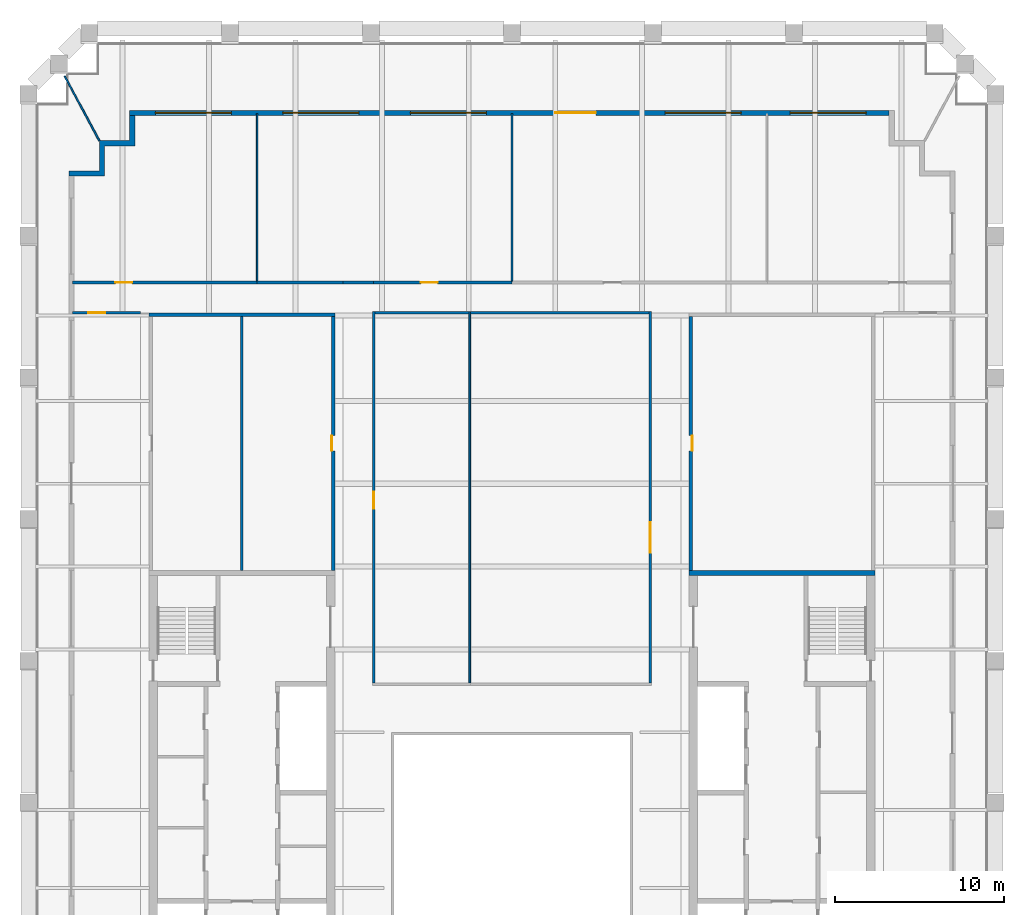
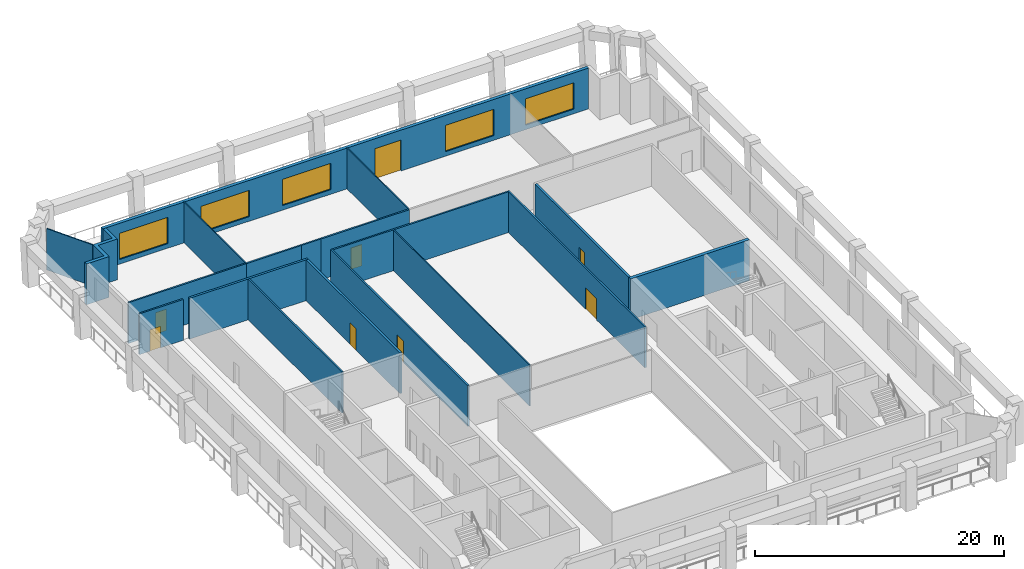
# One storey, part 5 of 8: 20 walls, 8 doors, 5 windows, 13 openings.
"""IFC4 building model written with IfcOpenShell, lengths in metres."""

from ifc_helpers import new_model, si_unit, direction, frame, frame_2d, origin, place, context, subcontext, project, spatial, polyline, rectangle, outline, extrude, material, layer, layer_set, type_object, element, fill, save


model = new_model("IFC4")

# Units and contexts
model_context = context("Model", 3, precision=1e-05, world=origin(), true_north=direction((0.0, 1.0)))
body_context = subcontext(model_context, "Body", "Model", "MODEL_VIEW")
ifc_project = project(units=[si_unit("LENGTHUNIT", "METRE"), si_unit("AREAUNIT", "SQUARE_METRE"), si_unit("VOLUMEUNIT", "CUBIC_METRE"), si_unit("PLANEANGLEUNIT", "RADIAN"), si_unit("MASSUNIT", "GRAM", prefix="KILO")], contexts=[model_context])

# Site, building, storey
site_placement = place(None, origin())
site = spatial("IfcSite", under=ifc_project, at=site_placement, CompositionType="ELEMENT")
building_placement = place(site_placement, origin())
building = spatial("IfcBuilding", under=site, at=building_placement, Name="Ogive Exchange Tower", CompositionType="ELEMENT")
storey_placement = place(building_placement, frame((0.0, 0.0, 325.800048828125)))
storey = spatial("IfcBuildingStorey", under=building, at=storey_placement, Name="L71", CompositionType="ELEMENT", Elevation=325.800048828125)

# Wall
ifc_material_1 = material(Name="Gypsum board partition")
ifc_layer_1 = layer(ifc_material_1, 0.14990234375)
ifc_layer_set_1 = layer_set([ifc_layer_1], Name="Core room partition 150 gypsum")
wall_type_1 = type_object("IfcWallType", Name="Core room partition 150 gypsum", PredefinedType="PARTITIONING", material=ifc_layer_set_1)
wall_1_placement = place(storey_placement, frame((-16.0, 25.75, 0.0), z_axis=(0.0, 0.0, 1.0), x_axis=(0.0, 1.0, 0.0)))
element("IfcWall", 1, at=wall_1_placement, inside=storey, type_object=wall_type_1, Name="W annex N column wall", PredefinedType="PARTITIONING", context=body_context, shape_type="SweptSolid", body=[
    extrude(rectangle(XDim=15.050048828125, YDim=0.14990234375, at=frame_2d((7.52490234375, 0.0))), origin(), (0.0, 0.0, 1.0), 4.0),
])

# Wall, opening, door
ifc_material_2 = material(Name="Fire partition EI 60 150")
ifc_layer_2 = layer(ifc_material_2, 0.14990234375)
ifc_layer_set_2 = layer_set([ifc_layer_2], Name="Fire partition EI 60 150")
wall_type_2 = type_object("IfcWallType", Name="Fire partition EI 60 150", PredefinedType="PARTITIONING", material=ifc_layer_set_2)
wall_2_placement = place(storey_placement, frame((-26.050048828125, 42.800048828125, 0.0), z_axis=(0.0, 0.0, 1.0), x_axis=(1.0, 0.0, 0.0)))
wall_2 = element("IfcWall", 2, at=wall_2_placement, inside=storey, type_object=wall_type_2, Name="L71-PWL-001", PredefinedType="PARTITIONING", context=body_context, shape_type="SweptSolid", body=[
    extrude(rectangle(XDim=11.0, YDim=0.14990234375, at=frame_2d((5.5, 0.0))), origin(), (0.0, 0.0, 1.0), 4.0),
])
opening_1_placement = place(wall_2_placement, frame((2.550048828125, 0.0, 0.0)))
opening_1 = element("IfcOpeningElement", 3, at=opening_1_placement, cuts=wall_2, Name="Opening L71-I04", PredefinedType="OPENING", context=body_context, shape_type="SweptSolid", body=[
    extrude(rectangle(XDim=1.0, YDim=2.10009765625, at=frame_2d((0.5, 1.050048828125))), frame((0.0, 0.0849609375, 0.0), z_axis=(0.0, -1.0, 0.0), x_axis=(1.0, 0.0, 0.0)), (0.0, 0.0, 1.0), 0.169921875),
])
ifc_material_3 = material(Name="Fire door FD 30S 1000 x 2100")
door_type_1 = type_object("IfcDoorType", Name="Fire door FD 30S 1000 x 2100", OperationType="NOTDEFINED", PredefinedType="DOOR", material=ifc_material_3)
door_1_placement = place(opening_1_placement, origin())
door_1 = element("IfcDoor", 4, at=door_1_placement, inside=storey, type_object=door_type_1, Name="L71-IDR-004", ObjectType="DT3", OperationType="SINGLE_SWING_RIGHT", OverallHeight=2.10009765625, OverallWidth=1.0, PredefinedType="DOOR", context=body_context, shape_type="SweptSolid", body=[
    extrude(rectangle(XDim=1.0, YDim=2.10009765625, at=frame_2d((0.5, 1.050048828125))), frame((0.0, 0.02490234375, 0.0), z_axis=(0.0, -1.0, 0.0), x_axis=(1.0, 0.0, 0.0)), (0.0, 0.0, 1.0), 0.050048828125),
])
fill(opening_1, door_1)

wall_3_placement = place(storey_placement, frame((-22.0, 41.0, 0.0), z_axis=(0.0, 0.0, 1.0), x_axis=(-1.0, 0.0, 0.0)))
wall_3 = element("IfcWall", 5, at=wall_3_placement, inside=storey, type_object=wall_type_2, Name="L71-PWL-003", PredefinedType="PARTITIONING", context=body_context, shape_type="SweptSolid", body=[
    extrude(rectangle(XDim=4.050048828125, YDim=0.14990234375, at=frame_2d((2.02490234375, 0.0))), origin(), (0.0, 0.0, 1.0), 4.0),
])
opening_2_placement = place(wall_3_placement, frame((2.10009765625, 0.0, 0.0)))
opening_2 = element("IfcOpeningElement", 6, at=opening_2_placement, cuts=wall_3, Name="Opening L71-I07", PredefinedType="OPENING", context=body_context, shape_type="SweptSolid", body=[
    extrude(rectangle(XDim=1.0, YDim=2.10009765625, at=frame_2d((0.5, 1.050048828125))), frame((0.0, 0.0849609375, 0.0), z_axis=(0.0, -1.0, 0.0), x_axis=(1.0, 0.0, 0.0)), (0.0, 0.0, 1.0), 0.169921875),
])
door_2_placement = place(opening_2_placement, origin())
door_2 = element("IfcDoor", 7, at=door_2_placement, inside=storey, type_object=door_type_1, Name="L71-IDR-007", ObjectType="DT3", OperationType="SINGLE_SWING_LEFT", OverallHeight=2.10009765625, OverallWidth=1.0, PredefinedType="DOOR", context=body_context, shape_type="SweptSolid", body=[
    extrude(rectangle(XDim=1.0, YDim=2.10009765625, at=frame_2d((0.5, 1.050048828125))), frame((0.0, 0.02490234375, 0.0), z_axis=(0.0, -1.0, 0.0), x_axis=(1.0, 0.0, 0.0)), (0.0, 0.0, 1.0), 0.050048828125),
])
fill(opening_2, door_2)

# Walls
wall_4_placement = place(storey_placement, frame((-15.10009765625, 42.800048828125, 0.0), z_axis=(0.0, 0.0, 1.0), x_axis=(1.0, 0.0, 0.0)))
element("IfcWall", 8, at=wall_4_placement, inside=storey, type_object=wall_type_2, Name="L71-PWL-005", PredefinedType="PARTITIONING", context=body_context, shape_type="SweptSolid", body=[
    extrude(rectangle(XDim=5.10009765625, YDim=0.14990234375, at=frame_2d((2.550048828125, 0.0))), origin(), (0.0, 0.0, 1.0), 4.0),
])
wall_5_placement = place(storey_placement, frame((-10.0, 42.800048828125, 0.0), z_axis=(0.0, 0.0, 1.0), x_axis=(1.0, 0.0, 0.0)))
element("IfcWall", 9, at=wall_5_placement, inside=storey, type_object=wall_type_2, Name="L71-PWL-006", PredefinedType="PARTITIONING", context=body_context, shape_type="SweptSolid", body=[
    extrude(rectangle(XDim=1.800048828125, YDim=0.14990234375, at=frame_2d((0.89990234375, 0.0))), origin(), (0.0, 0.0, 1.0), 4.0),
])

# Wall, opening, door
wall_6_placement = place(storey_placement, frame((-8.199951171875, 41.074951171875, 0.0), z_axis=(0.0, 0.0, 1.0), x_axis=(0.0, -1.0, 0.0)))
wall_6 = element("IfcWall", 10, at=wall_6_placement, inside=storey, type_object=wall_type_2, Name="L71-PWL-008", PredefinedType="PARTITIONING", context=body_context, shape_type="SweptSolid", body=[
    extrude(rectangle(XDim=22.0, YDim=0.14990234375, at=frame_2d((11.0, 0.0))), origin(), (0.0, 0.0, 1.0), 4.0),
])
opening_3_placement = place(wall_6_placement, frame((10.675048828125, 0.0, 0.0)))
opening_3 = element("IfcOpeningElement", 11, at=opening_3_placement, cuts=wall_6, Name="Opening L71-I06", PredefinedType="OPENING", context=body_context, shape_type="SweptSolid", body=[
    extrude(rectangle(XDim=1.0, YDim=2.10009765625, at=frame_2d((0.5, 1.050048828125))), frame((0.0, 0.0849609375, 0.0), z_axis=(0.0, -1.0, 0.0), x_axis=(1.0, 0.0, 0.0)), (0.0, 0.0, 1.0), 0.169921875),
])
door_3_placement = place(opening_3_placement, origin())
door_3 = element("IfcDoor", 12, at=door_3_placement, inside=storey, type_object=door_type_1, Name="L71-IDR-006", ObjectType="DT3", OperationType="SINGLE_SWING_RIGHT", OverallHeight=2.10009765625, OverallWidth=1.0, PredefinedType="DOOR", context=body_context, shape_type="SweptSolid", body=[
    extrude(rectangle(XDim=1.0, YDim=2.10009765625, at=frame_2d((0.5, 1.050048828125))), frame((0.0, 0.02490234375, 0.0), z_axis=(0.0, -1.0, 0.0), x_axis=(1.0, 0.0, 0.0)), (0.0, 0.0, 1.0), 0.050048828125),
])
fill(opening_3, door_3)

wall_7_placement = place(storey_placement, frame((-8.199951171875, 42.800048828125, 0.0), z_axis=(0.0, 0.0, 1.0), x_axis=(1.0, 0.0, 0.0)))
wall_7 = element("IfcWall", 13, at=wall_7_placement, inside=storey, type_object=wall_type_2, Name="L71-PWL-009", PredefinedType="PARTITIONING", context=body_context, shape_type="SweptSolid", body=[
    extrude(rectangle(XDim=8.199951171875, YDim=0.14990234375, at=frame_2d((4.10009765625, 0.0))), origin(), (0.0, 0.0, 1.0), 4.0),
])
opening_4_placement = place(wall_7_placement, frame((2.800048828125, 0.0, 0.0)))
opening_4 = element("IfcOpeningElement", 14, at=opening_4_placement, cuts=wall_7, Name="Opening L71-I03", PredefinedType="OPENING", context=body_context, shape_type="SweptSolid", body=[
    extrude(rectangle(XDim=1.0, YDim=2.10009765625, at=frame_2d((0.5, 1.050048828125))), frame((0.0, 0.0849609375, 0.0), z_axis=(0.0, -1.0, 0.0), x_axis=(1.0, 0.0, 0.0)), (0.0, 0.0, 1.0), 0.169921875),
])
door_4_placement = place(opening_4_placement, origin())
door_4 = element("IfcDoor", 15, at=door_4_placement, inside=storey, type_object=door_type_1, Name="L71-IDR-003", ObjectType="DT3", OperationType="SINGLE_SWING_LEFT", OverallHeight=2.10009765625, OverallWidth=1.0, PredefinedType="DOOR", context=body_context, shape_type="SweptSolid", body=[
    extrude(rectangle(XDim=1.0, YDim=2.10009765625, at=frame_2d((0.5, 1.050048828125))), frame((0.0, 0.02490234375, 0.0), z_axis=(0.0, -1.0, 0.0), x_axis=(1.0, 0.0, 0.0)), (0.0, 0.0, 1.0), 0.050048828125),
])
fill(opening_4, door_4)

# Wall
wall_8_placement = place(storey_placement, frame((-2.550048828125, 41.0, 0.0), z_axis=(0.0, 0.0, 1.0), x_axis=(-1.0, 0.0, 0.0)))
element("IfcWall", 16, at=wall_8_placement, inside=storey, type_object=wall_type_2, Name="L71-PWL-012", PredefinedType="PARTITIONING", context=body_context, shape_type="SweptSolid", body=[
    extrude(rectangle(XDim=5.574951171875, YDim=0.14990234375, at=frame_2d((2.78759765625, 0.0))), origin(), (0.0, 0.0, 1.0), 4.0),
])

# Wall, opening, door
wall_9_placement = place(storey_placement, frame((8.199951171875, 19.074951171875, 0.0), z_axis=(0.0, 0.0, 1.0), x_axis=(0.0, 1.0, 0.0)))
wall_9 = element("IfcWall", 17, at=wall_9_placement, inside=storey, type_object=wall_type_2, Name="L71-PWL-015", PredefinedType="PARTITIONING", context=body_context, shape_type="SweptSolid", body=[
    extrude(rectangle(XDim=22.0, YDim=0.14990234375, at=frame_2d((11.0, 0.0))), origin(), (0.0, 0.0, 1.0), 4.0),
])
opening_5_placement = place(wall_9_placement, frame((7.72509765625, 0.0, 0.0)))
opening_5 = element("IfcOpeningElement", 18, at=opening_5_placement, cuts=wall_9, Name="Opening L71-I05", PredefinedType="OPENING", context=body_context, shape_type="SweptSolid", body=[
    extrude(rectangle(XDim=1.800048828125, YDim=2.10009765625, at=frame_2d((0.89990234375, 1.050048828125))), frame((0.0, 0.0849609375, 0.0), z_axis=(0.0, -1.0, 0.0), x_axis=(1.0, 0.0, 0.0)), (0.0, 0.0, 1.0), 0.169921875),
])
ifc_material_4 = material(Name="Fire door FD 30S 1800 x 2100")
door_type_2 = type_object("IfcDoorType", Name="Fire door FD 30S 1800 x 2100", OperationType="DOUBLE_DOOR_SINGLE_SWING", PredefinedType="DOOR", material=ifc_material_4)
door_5_placement = place(opening_5_placement, origin())
door_5 = element("IfcDoor", 19, at=door_5_placement, inside=storey, type_object=door_type_2, Name="L71-IDR-005", ObjectType="DT4", OperationType="SINGLE_SWING_RIGHT", OverallHeight=2.10009765625, OverallWidth=1.800048828125, PredefinedType="DOOR", context=body_context, shape_type="SweptSolid", body=[
    extrude(rectangle(XDim=1.800048828125, YDim=2.10009765625, at=frame_2d((0.89990234375, 1.050048828125))), frame((0.0, 0.02490234375, 0.0), z_axis=(0.0, -1.0, 0.0), x_axis=(1.0, 0.0, 0.0)), (0.0, 0.0, 1.0), 0.050048828125),
])
fill(opening_5, door_5)

# Wall
wall_10_placement = place(storey_placement, frame((8.125, 41.0, 0.0), z_axis=(0.0, 0.0, 1.0), x_axis=(-1.0, 0.0, 0.0)))
element("IfcWall", 20, at=wall_10_placement, inside=storey, type_object=wall_type_2, Name="L71-PWL-016", PredefinedType="PARTITIONING", context=body_context, shape_type="SweptSolid", body=[
    extrude(rectangle(XDim=10.574951171875, YDim=0.14990234375, at=frame_2d((5.28759765625, 0.0))), origin(), (0.0, 0.0, 1.0), 4.0),
])

# Wall, openings, door, windows
ifc_material_5 = material(Name="Precast concrete C40/50", Category="concrete")
ifc_layer_3 = layer(ifc_material_5, 0.300048828125)
ifc_layer_set_3 = layer_set([ifc_layer_3], Name="Limestone-faced wall 300")
wall_type_3 = type_object("IfcWallType", Name="Limestone-faced wall 300", PredefinedType="STANDARD", material=ifc_layer_set_3)
wall_11_placement = place(storey_placement, frame((22.35009765625, 52.85009765625, 0.0), z_axis=(0.0, 0.0, 1.0), x_axis=(-1.0, 0.0, 0.0)))
wall_11 = element("IfcWall", 21, at=wall_11_placement, inside=storey, type_object=wall_type_3, Name="External wall N3", PredefinedType="STANDARD", context=body_context, shape_type="SweptSolid", body=[
    extrude(rectangle(XDim=45.0, YDim=0.300048828125, at=frame_2d((22.5, 0.0))), origin(), (0.0, 0.0, 1.0), 4.0),
])
opening_6_placement = place(wall_11_placement, frame((1.375, 0.0, 0.449951171875)))
opening_6 = element("IfcOpeningElement", 22, at=opening_6_placement, cuts=wall_11, Name="Opening W1M", PredefinedType="OPENING", context=body_context, shape_type="SweptSolid", body=[
    extrude(rectangle(XDim=4.5, YDim=2.574951171875, at=frame_2d((2.25, 1.28759765625))), frame((0.0, 0.159912109375, 0.0), z_axis=(0.0, -1.0, 0.0), x_axis=(1.0, 0.0, 0.0)), (0.0, 0.0, 1.0), 0.320068359375),
])
opening_7_placement = place(wall_11_placement, frame((8.77490234375, 0.0, 0.449951171875)))
opening_7 = element("IfcOpeningElement", 23, at=opening_7_placement, cuts=wall_11, Name="Opening W1M", PredefinedType="OPENING", context=body_context, shape_type="SweptSolid", body=[
    extrude(rectangle(XDim=4.5, YDim=2.574951171875, at=frame_2d((2.25, 1.28759765625))), frame((0.0, 0.159912109375, 0.0), z_axis=(0.0, -1.0, 0.0), x_axis=(1.0, 0.0, 0.0)), (0.0, 0.0, 1.0), 0.320068359375),
])
opening_8_placement = place(wall_11_placement, frame((17.375, 0.0, 0.0)))
opening_8 = element("IfcOpeningElement", 24, at=opening_8_placement, cuts=wall_11, Name="Opening D1M", PredefinedType="OPENING", context=body_context, shape_type="SweptSolid", body=[
    extrude(rectangle(XDim=2.39990234375, YDim=3.02490234375, at=frame_2d((1.199951171875, 1.512451171875))), frame((0.0, 0.159912109375, 0.0), z_axis=(0.0, -1.0, 0.0), x_axis=(1.0, 0.0, 0.0)), (0.0, 0.0, 1.0), 0.320068359375),
])
opening_9_placement = place(wall_11_placement, frame((23.875, 0.0, 0.449951171875)))
opening_9 = element("IfcOpeningElement", 25, at=opening_9_placement, cuts=wall_11, Name="Opening W1M", PredefinedType="OPENING", context=body_context, shape_type="SweptSolid", body=[
    extrude(rectangle(XDim=4.5, YDim=2.574951171875, at=frame_2d((2.25, 1.28759765625))), frame((0.0, 0.159912109375, 0.0), z_axis=(0.0, -1.0, 0.0), x_axis=(1.0, 0.0, 0.0)), (0.0, 0.0, 1.0), 0.320068359375),
])
opening_10_placement = place(wall_11_placement, frame((31.425048828125, 0.0, 0.449951171875)))
opening_10 = element("IfcOpeningElement", 26, at=opening_10_placement, cuts=wall_11, Name="Opening W1M", PredefinedType="OPENING", context=body_context, shape_type="SweptSolid", body=[
    extrude(rectangle(XDim=4.5, YDim=2.574951171875, at=frame_2d((2.25, 1.28759765625))), frame((0.0, 0.159912109375, 0.0), z_axis=(0.0, -1.0, 0.0), x_axis=(1.0, 0.0, 0.0)), (0.0, 0.0, 1.0), 0.320068359375),
])
opening_11_placement = place(wall_11_placement, frame((38.97509765625, 0.0, 0.449951171875)))
opening_11 = element("IfcOpeningElement", 27, at=opening_11_placement, cuts=wall_11, Name="Opening W1M", PredefinedType="OPENING", context=body_context, shape_type="SweptSolid", body=[
    extrude(rectangle(XDim=4.5, YDim=2.574951171875, at=frame_2d((2.25, 1.28759765625))), frame((0.0, 0.159912109375, 0.0), z_axis=(0.0, -1.0, 0.0), x_axis=(1.0, 0.0, 0.0)), (0.0, 0.0, 1.0), 0.320068359375),
])
ifc_material_6 = material(Name="Clear glass in bronze frame", Category="glass")
door_type_3 = type_object("IfcDoorType", Name="Sliding loggia door 2400 x 3025", OperationType="DOUBLE_DOOR_SLIDING", PredefinedType="DOOR", material=ifc_material_6)
door_6_placement = place(opening_8_placement, origin())
door_6 = element("IfcDoor", 28, at=door_6_placement, inside=storey, type_object=door_type_3, Name="Loggia door N02", OperationType="DOUBLE_DOOR_SLIDING", OverallHeight=3.02490234375, OverallWidth=2.39990234375, PredefinedType="DOOR", context=body_context, shape_type="SweptSolid", body=[
    extrude(rectangle(XDim=2.39990234375, YDim=3.02490234375, at=frame_2d((1.199951171875, 1.512451171875))), frame((0.0, 0.02490234375, 0.0), z_axis=(0.0, -1.0, 0.0), x_axis=(1.0, 0.0, 0.0)), (0.0, 0.0, 1.0), 0.050048828125),
])
fill(opening_8, door_6)
window_type = type_object("IfcWindowType", Name="Twin lancet window 4500 x 2575", PartitioningType="DOUBLE_PANEL_VERTICAL", PredefinedType="WINDOW", material=ifc_material_6)
window_1_placement = place(opening_6_placement, origin())
window_1 = element("IfcWindow", 29, at=window_1_placement, inside=storey, type_object=window_type, Name="Window N00", OverallHeight=2.574951171875, OverallWidth=4.5, PartitioningType="DOUBLE_PANEL_VERTICAL", PredefinedType="WINDOW", context=body_context, shape_type="SweptSolid", body=[
    extrude(rectangle(XDim=4.5, YDim=2.574951171875, at=frame_2d((2.25, 1.28759765625))), frame((0.0, 0.030029296875, 0.0), z_axis=(0.0, -1.0, 0.0), x_axis=(1.0, 0.0, 0.0)), (0.0, 0.0, 1.0), 0.06005859375),
])
fill(opening_6, window_1)
window_2_placement = place(opening_7_placement, origin())
window_2 = element("IfcWindow", 30, at=window_2_placement, inside=storey, type_object=window_type, Name="Window N01", OverallHeight=2.574951171875, OverallWidth=4.5, PartitioningType="DOUBLE_PANEL_VERTICAL", PredefinedType="WINDOW", context=body_context, shape_type="SweptSolid", body=[
    extrude(rectangle(XDim=4.5, YDim=2.574951171875, at=frame_2d((2.25, 1.28759765625))), frame((0.0, 0.030029296875, 0.0), z_axis=(0.0, -1.0, 0.0), x_axis=(1.0, 0.0, 0.0)), (0.0, 0.0, 1.0), 0.06005859375),
])
fill(opening_7, window_2)
window_3_placement = place(opening_9_placement, origin())
window_3 = element("IfcWindow", 31, at=window_3_placement, inside=storey, type_object=window_type, Name="Window N03", OverallHeight=2.574951171875, OverallWidth=4.5, PartitioningType="DOUBLE_PANEL_VERTICAL", PredefinedType="WINDOW", context=body_context, shape_type="SweptSolid", body=[
    extrude(rectangle(XDim=4.5, YDim=2.574951171875, at=frame_2d((2.25, 1.28759765625))), frame((0.0, 0.030029296875, 0.0), z_axis=(0.0, -1.0, 0.0), x_axis=(1.0, 0.0, 0.0)), (0.0, 0.0, 1.0), 0.06005859375),
])
fill(opening_9, window_3)
window_4_placement = place(opening_10_placement, origin())
window_4 = element("IfcWindow", 32, at=window_4_placement, inside=storey, type_object=window_type, Name="Window N04", OverallHeight=2.574951171875, OverallWidth=4.5, PartitioningType="DOUBLE_PANEL_VERTICAL", PredefinedType="WINDOW", context=body_context, shape_type="SweptSolid", body=[
    extrude(rectangle(XDim=4.5, YDim=2.574951171875, at=frame_2d((2.25, 1.28759765625))), frame((0.0, 0.030029296875, 0.0), z_axis=(0.0, -1.0, 0.0), x_axis=(1.0, 0.0, 0.0)), (0.0, 0.0, 1.0), 0.06005859375),
])
fill(opening_10, window_4)
window_5_placement = place(opening_11_placement, origin())
window_5 = element("IfcWindow", 33, at=window_5_placement, inside=storey, type_object=window_type, Name="Window N05", OverallHeight=2.574951171875, OverallWidth=4.5, PartitioningType="DOUBLE_PANEL_VERTICAL", PredefinedType="WINDOW", context=body_context, shape_type="SweptSolid", body=[
    extrude(rectangle(XDim=4.5, YDim=2.574951171875, at=frame_2d((2.25, 1.28759765625))), frame((0.0, 0.030029296875, 0.0), z_axis=(0.0, -1.0, 0.0), x_axis=(1.0, 0.0, 0.0)), (0.0, 0.0, 1.0), 0.06005859375),
])
fill(opening_11, window_5)

# Walls
wall_12_placement = place(storey_placement, origin())
element("IfcWall", 34, at=wall_12_placement, inside=storey, type_object=wall_type_3, Name="External corner wall C3", PredefinedType="STANDARD", context=body_context, shape_type="SweptSolid", body=[
    extrude(outline(polyline([(-24.449951171875, 49.39990234375), (-24.449951171875, 51.199951171875), (-22.64990234375, 51.199951171875), (-22.64990234375, 52.699951171875), (-22.35009765625, 52.699951171875), (-22.35009765625, 50.89990234375), (-24.14990234375, 50.89990234375), (-24.14990234375, 49.10009765625), (-26.25, 49.10009765625), (-26.25, 49.39990234375), (-24.449951171875, 49.39990234375)])), origin(), (0.0, 0.0, 1.0), 4.0),
])
ifc_material_7 = material(Name="Laminated safety glass in steel frame", Category="steel")
ifc_layer_4 = layer(ifc_material_7, 0.10009765625)
ifc_layer_set_4 = layer_set([ifc_layer_4], Name="Loggia end screen 100")
wall_type_4 = type_object("IfcWallType", Name="Loggia end screen 100", PredefinedType="STANDARD", material=ifc_layer_set_4)
wall_13_placement = place(storey_placement, frame((-24.449951171875, 51.199951171875, -0.050048828125), z_axis=(0.0, 0.0, 1.0), x_axis=(-0.472807073277, 0.881165972709, 0.0)))
element("IfcWall", 35, at=wall_13_placement, inside=storey, type_object=wall_type_4, Name="Loggia end screen C3", PredefinedType="STANDARD", context=body_context, shape_type="SweptSolid", body=[
    extrude(rectangle(XDim=4.348876953125, YDim=0.10009765625, at=frame_2d((2.17431640625, 0.0))), origin(), (0.0, 0.0, 1.0), 4.050048828125),
])
ifc_material_8 = material(Name="Partition 100 gypsum")
ifc_layer_5 = layer(ifc_material_8, 0.10009765625)
ifc_layer_set_5 = layer_set([ifc_layer_5], Name="Partition 100 gypsum")
wall_type_5 = type_object("IfcWallType", Name="Partition 100 gypsum", PredefinedType="PARTITIONING", material=ifc_layer_set_5)
wall_14_placement = place(storey_placement, frame((-15.10009765625, 42.875, 0.0), z_axis=(0.0, 0.0, 1.0), x_axis=(0.0, 1.0, 0.0)))
element("IfcWall", 36, at=wall_14_placement, inside=storey, type_object=wall_type_5, Name="L71-PWL-004", PredefinedType="PARTITIONING", context=body_context, shape_type="SweptSolid", body=[
    extrude(rectangle(XDim=9.925048828125, YDim=0.10009765625, at=frame_2d((4.96240234375, 0.0))), origin(), (0.0, 0.0, 1.0), 4.0),
])
wall_15_placement = place(storey_placement, frame((-2.5, 19.074951171875, 0.0), z_axis=(0.0, 0.0, 1.0), x_axis=(0.0, 1.0, 0.0)))
element("IfcWall", 37, at=wall_15_placement, inside=storey, type_object=wall_type_5, Name="L71-PWL-010", PredefinedType="PARTITIONING", context=body_context, shape_type="SweptSolid", body=[
    extrude(rectangle(XDim=22.0, YDim=0.10009765625, at=frame_2d((11.0, 0.0))), origin(), (0.0, 0.0, 1.0), 4.0),
])
wall_16_placement = place(storey_placement, frame((0.0, 42.875, 0.0), z_axis=(0.0, 0.0, 1.0), x_axis=(0.0, 1.0, 0.0)))
element("IfcWall", 38, at=wall_16_placement, inside=storey, type_object=wall_type_5, Name="L71-PWL-013", PredefinedType="PARTITIONING", context=body_context, shape_type="SweptSolid", body=[
    extrude(rectangle(XDim=9.925048828125, YDim=0.10009765625, at=frame_2d((4.96240234375, 0.0))), origin(), (0.0, 0.0, 1.0), 4.0),
])

# Wall, opening, door
ifc_material_9 = material(Name="Concrete C70/85", Category="concrete")
ifc_layer_6 = layer(ifc_material_9, 0.199951171875)
ifc_layer_set_6 = layer_set([ifc_layer_6], Name="RC core wall 200 C70/85")
wall_type_6 = type_object("IfcWallType", Name="RC core wall 200 C70/85", PredefinedType="SHEAR", material=ifc_layer_set_6)
wall_17_placement = place(storey_placement, frame((-10.60009765625, 25.75, 0.0), z_axis=(0.0, 0.0, 1.0), x_axis=(0.0, 1.0, 0.0)))
wall_17 = element("IfcWall", 39, at=wall_17_placement, inside=storey, type_object=wall_type_6, Name="W annex N inner wall", PredefinedType="SHEAR", context=body_context, shape_type="SweptSolid", body=[
    extrude(rectangle(XDim=15.050048828125, YDim=0.199951171875, at=frame_2d((7.52490234375, 0.0))), origin(), (0.0, 0.0, 1.0), 4.0),
])
opening_12_placement = place(wall_17_placement, frame((7.074951171875, 0.0, 0.0)))
opening_12 = element("IfcOpeningElement", 40, at=opening_12_placement, cuts=wall_17, Name="Opening L71-C20", PredefinedType="OPENING", context=body_context, shape_type="SweptSolid", body=[
    extrude(rectangle(XDim=0.89990234375, YDim=2.10009765625, at=frame_2d((0.449951171875, 1.050048828125))), frame((0.0, 0.10986328125, 0.0), z_axis=(0.0, -1.0, 0.0), x_axis=(1.0, 0.0, 0.0)), (0.0, 0.0, 1.0), 0.219970703125),
])
ifc_material_10 = material(Name="Steel fire door", Category="steel")
door_type_4 = type_object("IfcDoorType", Name="Riser door FD60 900 x 2100", OperationType="NOTDEFINED", PredefinedType="DOOR", material=ifc_material_10)
door_7_placement = place(opening_12_placement, frame((0.89990234375, 0.14990234375, 0.0), z_axis=(0.0, 0.0, 1.0), x_axis=(-1.0, 0.0, 0.0)))
door_7 = element("IfcDoor", 41, at=door_7_placement, inside=storey, type_object=door_type_4, Name="Riser door", ObjectType="CD2", OperationType="SINGLE_SWING_RIGHT", OverallHeight=2.10009765625, OverallWidth=0.89990234375, PredefinedType="DOOR", context=body_context, shape_type="SweptSolid", body=[
    extrude(rectangle(XDim=0.89990234375, YDim=2.10009765625, at=frame_2d((0.449951171875, 1.050048828125))), frame((0.0, 0.10009765625, 0.0), z_axis=(0.0, -1.0, 0.0), x_axis=(1.0, 0.0, 0.0)), (0.0, 0.0, 1.0), 0.050048828125),
])
fill(opening_12, door_7)

# Wall
wall_18_placement = place(storey_placement, frame((-21.5, 40.89990234375, 0.0), z_axis=(0.0, 0.0, 1.0), x_axis=(1.0, 0.0, 0.0)))
element("IfcWall", 42, at=wall_18_placement, inside=storey, type_object=wall_type_6, Name="W annex N end wall", PredefinedType="SHEAR", context=body_context, shape_type="SweptSolid", body=[
    extrude(rectangle(XDim=11.0, YDim=0.199951171875, at=frame_2d((5.5, 0.0))), origin(), (0.0, 0.0, 1.0), 4.0),
])

# Wall, opening, door
wall_19_placement = place(storey_placement, frame((10.60009765625, 25.75, 0.0), z_axis=(0.0, 0.0, 1.0), x_axis=(0.0, 1.0, 0.0)))
wall_19 = element("IfcWall", 43, at=wall_19_placement, inside=storey, type_object=wall_type_6, Name="E annex N inner wall", PredefinedType="SHEAR", context=body_context, shape_type="SweptSolid", body=[
    extrude(rectangle(XDim=15.050048828125, YDim=0.199951171875, at=frame_2d((7.52490234375, 0.0))), origin(), (0.0, 0.0, 1.0), 4.0),
])
opening_13_placement = place(wall_19_placement, frame((7.074951171875, 0.0, 0.0)))
opening_13 = element("IfcOpeningElement", 44, at=opening_13_placement, cuts=wall_19, Name="Opening L71-C37", PredefinedType="OPENING", context=body_context, shape_type="SweptSolid", body=[
    extrude(rectangle(XDim=0.89990234375, YDim=2.10009765625, at=frame_2d((0.449951171875, 1.050048828125))), frame((0.0, 0.10986328125, 0.0), z_axis=(0.0, -1.0, 0.0), x_axis=(1.0, 0.0, 0.0)), (0.0, 0.0, 1.0), 0.219970703125),
])
door_8_placement = place(opening_13_placement, origin())
door_8 = element("IfcDoor", 45, at=door_8_placement, inside=storey, type_object=door_type_4, Name="Riser door", ObjectType="CD2", OperationType="SINGLE_SWING_LEFT", OverallHeight=2.10009765625, OverallWidth=0.89990234375, PredefinedType="DOOR", context=body_context, shape_type="SweptSolid", body=[
    extrude(rectangle(XDim=0.89990234375, YDim=2.10009765625, at=frame_2d((0.449951171875, 1.050048828125))), frame((0.0, -0.0498046875, 0.0), z_axis=(0.0, -1.0, 0.0), x_axis=(1.0, 0.0, 0.0)), (0.0, 0.0, 1.0), 0.050048828125),
])
fill(opening_13, door_8)

# Wall
ifc_layer_7 = layer(ifc_material_9, 0.300048828125)
ifc_layer_set_7 = layer_set([ifc_layer_7], Name="RC core wall 300 C70/85")
wall_type_7 = type_object("IfcWallType", Name="RC core wall 300 C70/85", PredefinedType="SHEAR", material=ifc_layer_set_7)
wall_20_placement = place(storey_placement, frame((10.5, 25.60009765625, 0.0), z_axis=(0.0, 0.0, 1.0), x_axis=(1.0, 0.0, 0.0)))
element("IfcWall", 46, at=wall_20_placement, inside=storey, type_object=wall_type_7, Name="E north end wall", PredefinedType="SHEAR", context=body_context, shape_type="SweptSolid", body=[
    extrude(rectangle(XDim=11.0, YDim=0.300048828125, at=frame_2d((5.5, 0.0))), origin(), (0.0, 0.0, 1.0), 4.0),
])

save(model, "model.ifc")
